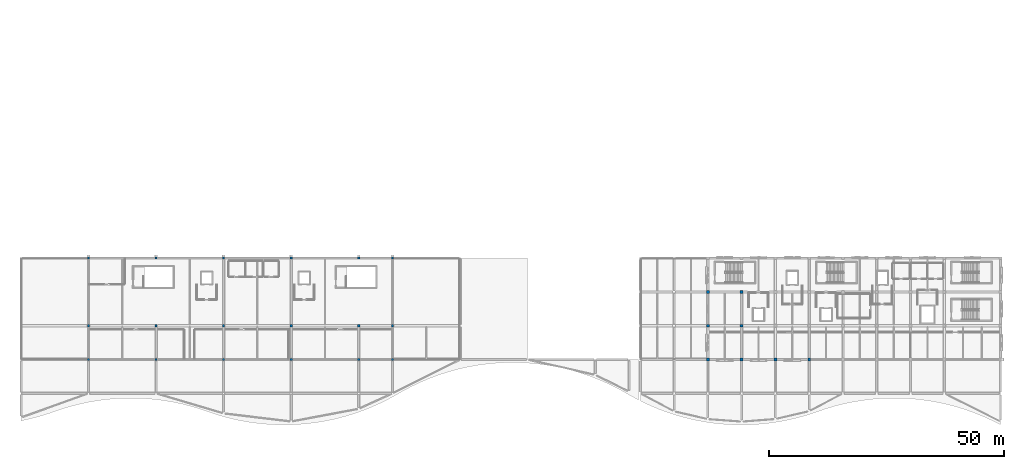
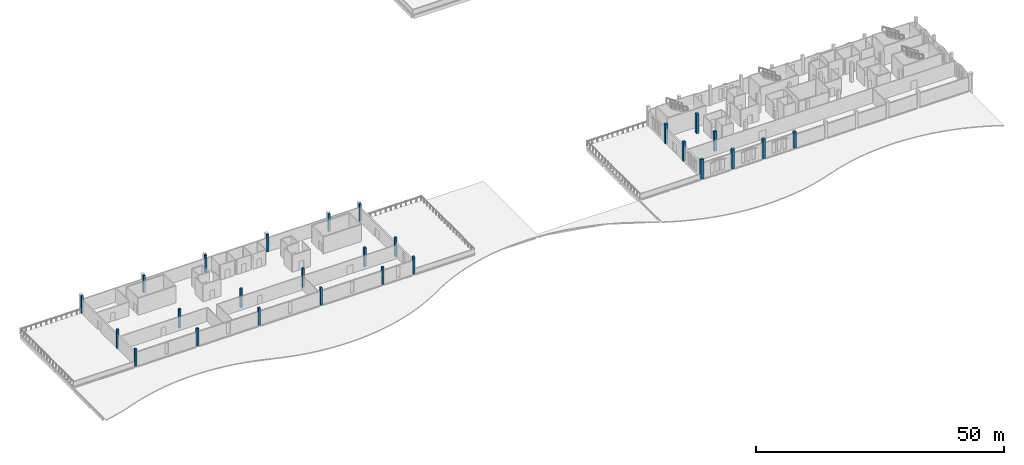
# One storey, part 1 of 23: 26 columns.
"""IFC4 building model written with IfcOpenShell, lengths in metres."""

import ifcopenshell
import ifcopenshell.guid

model = None  # the IFC model being written
_history = None  # IfcOwnerHistory: only IFC2X3 demands one
_inside = {}  # id of a spatial element -> (the spatial element, [elements in it])
_under = {}  # id of a project, library or spatial element -> (it, [spatial elements below it])
_declared = {}  # id of a project -> (the project, [libraries it declares])
_typed = {}  # id of a type object -> (the type object, [elements of that type])
_made_of = {}  # id of a material, layer set ... -> (it, [elements and type objects made of it])


def new_model(schema):
    """Start an empty IFC model of exactly this schema.

    Asked for "IFC4X3", IfcOpenShell would pick the latest addendum, in which some entities
    have other attributes; the version numbers below select the first issue.
    IFC2X3 requires an IfcOwnerHistory on every rooted entity: one is made here for all.
    """
    global model, _history
    if schema == "IFC4X3":
        model = ifcopenshell.file(schema_version=(4, 3, 0, 0))
    else:
        model = ifcopenshell.file(schema=schema)
    _inside.clear()
    _under.clear()
    _declared.clear()
    _typed.clear()
    _made_of.clear()
    _history = None
    if model.schema == "IFC2X3":
        org = make("IfcOrganization", Name="unknown")
        user = make(
            "IfcPersonAndOrganization",
            ThePerson=make("IfcPerson", FamilyName="unknown"),
            TheOrganization=org,
        )
        app = make(
            "IfcApplication",
            ApplicationDeveloper=org,
            Version="unknown",
            ApplicationFullName="unknown",
            ApplicationIdentifier="unknown",
        )
        _history = make(
            "IfcOwnerHistory",
            OwningUser=user,
            OwningApplication=app,
            ChangeAction="ADDED",
            CreationDate=0,
        )
    return model


def make(cls, **values):
    """One entity of the class cls with the attributes given. An attribute that is None is left unset."""
    return model.create_entity(
        cls, **{name: value for name, value in values.items() if value is not None}
    )


def rooted(cls, **values):
    """An entity with a GlobalId (a new one), such as an element, a storey or a relation."""
    return make(cls, GlobalId=ifcopenshell.guid.new(), OwnerHistory=_history, **values)


def si_unit(unit_type, name, prefix=None):
    """IfcSIUnit, for example si_unit("LENGTHUNIT", "METRE", prefix="MILLI")."""
    return make("IfcSIUnit", UnitType=unit_type, Prefix=prefix, Name=name)


def assignment(units):
    """IfcUnitAssignment: the units of a project."""
    return None if units is None else make("IfcUnitAssignment", Units=units)


def point(xyz):
    """IfcCartesianPoint."""
    return None if xyz is None else make("IfcCartesianPoint", Coordinates=xyz)


def direction(xyz):
    """IfcDirection."""
    return None if xyz is None else make("IfcDirection", DirectionRatios=xyz)


def frame(location, z_axis=None, x_axis=None):
    """IfcAxis2Placement3D, a coordinate frame: its origin and axes. An axis left out is left unset."""
    return make(
        "IfcAxis2Placement3D",
        Location=point(location),
        Axis=direction(z_axis),
        RefDirection=direction(x_axis),
    )


def frame_2d(location, x_axis=None):
    """IfcAxis2Placement2D, a coordinate frame in the plane: its origin and x axis."""
    return make(
        "IfcAxis2Placement2D", Location=point(location), RefDirection=direction(x_axis)
    )


def origin():
    """The frame at (0, 0, 0) with its axes left unset."""
    return frame((0.0, 0.0, 0.0))


def origin_2d():
    """The frame at (0, 0) in the plane with its x axis left unset."""
    return frame_2d((0.0, 0.0))


def place(relative_to, where):
    """IfcLocalPlacement: puts the frame where relative to a parent placement (None: the world)."""
    return make(
        "IfcLocalPlacement", PlacementRelTo=relative_to, RelativePlacement=where
    )


def context(
    kind, dimensions, precision=None, world=None, true_north=None, identifier=None
):
    """IfcGeometricRepresentationContext, for example the 3D "Model" context."""
    return make(
        "IfcGeometricRepresentationContext",
        ContextIdentifier=identifier,
        ContextType=kind,
        CoordinateSpaceDimension=dimensions,
        Precision=precision,
        WorldCoordinateSystem=world,
        TrueNorth=true_north,
    )


def subcontext(parent, identifier, kind, view, scale=None):
    """IfcGeometricRepresentationSubContext, for example "Body" below "Model"."""
    return make(
        "IfcGeometricRepresentationSubContext",
        ContextIdentifier=identifier,
        ContextType=kind,
        ParentContext=parent,
        TargetScale=scale,
        TargetView=view,
    )


def project(units=None, contexts=None):
    """IfcProject with its units and contexts."""
    return rooted(
        "IfcProject",
        Name="project",
        RepresentationContexts=contexts,
        UnitsInContext=assignment(units),
    )


def spatial(cls, under=None, at=None, **own):
    """A site, building, storey or space (cls), placed at a placement, below another one or the project."""
    s = rooted(cls, ObjectPlacement=at, **own)
    if under is not None:
        _under.setdefault(under.id(), (under, []))[1].append(s)
    return s


def profile(cls, at=None, kind="AREA", **sizes):
    """A parametric profile (cls). Its sizes go by their IFC names, for example OverallWidth=200.0."""
    return make(cls, ProfileType=kind, Position=at, **sizes)


def rectangle(**sizes):
    """IfcRectangleProfileDef."""
    return profile("IfcRectangleProfileDef", **sizes)


def extrude(swept, where, along, depth):
    """IfcExtrudedAreaSolid: the profile swept, set in the frame where, extruded along a direction by depth."""
    return make(
        "IfcExtrudedAreaSolid",
        SweptArea=swept,
        Position=where,
        ExtrudedDirection=direction(along),
        Depth=depth,
    )


def shape(context_of_items, identifier, shape_type, items):
    """IfcShapeRepresentation: the items that make up one representation, for example the "Body"."""
    return make(
        "IfcShapeRepresentation",
        ContextOfItems=context_of_items,
        RepresentationIdentifier=identifier,
        RepresentationType=shape_type,
        Items=items,
    )


def material(Name=None, Category=None):
    """IfcMaterial."""
    return make("IfcMaterial", Name=Name, Category=Category)


def material_profile(
    of_material, cross_section, Name=None, Category=None, Priority=None
):
    """IfcMaterialProfile: a cross section and its material."""
    return make(
        "IfcMaterialProfile",
        Name=Name,
        Material=of_material,
        Profile=cross_section,
        Priority=Priority,
        Category=Category,
    )


def profile_set(profiles, Name=None, composite=None):
    """IfcMaterialProfileSet."""
    return make(
        "IfcMaterialProfileSet",
        Name=Name,
        MaterialProfiles=profiles,
        CompositeProfile=composite,
    )


def made_of(thing, what):
    """Note that an element or type object is made of a material, layer set ...; save() writes the relation."""
    if what is not None:
        _made_of.setdefault(what.id(), (what, []))[1].append(thing)
    return thing


def type_object(cls, material=None, **own):
    """A type object (cls), such as IfcWallType, which elements share."""
    return made_of(rooted(cls, **own), material)


def element(
    cls,
    number,
    at=None,
    inside=None,
    cuts=None,
    type_object=None,
    material=None,
    context=None,
    identifier="Body",
    shape_type=None,
    held_by="IfcProductDefinitionShape",
    body=None,
    shapes=None,
    **own,
):
    """One element of the class cls, such as IfcWall. Its Tag is "e" and its number.

    at: its placement. inside: the storey or other place that contains it. cuts: it is an
    opening in that element (IfcRelVoidsElement). A single representation is given by context,
    identifier, shape_type and body (its items); several are given by shapes. held_by: the class
    of the entity that holds the representations. save() writes the other relations.
    """
    e = rooted(cls, Tag="e%d" % number, ObjectPlacement=at, **own)
    if body is not None:
        shapes = [shape(context, identifier, shape_type, body)]
    if shapes is not None:
        e.Representation = make(held_by, Representations=shapes)
    if inside is not None:
        _inside.setdefault(inside.id(), (inside, []))[1].append(e)
    if cuts is not None:
        rooted(
            "IfcRelVoidsElement", RelatingBuildingElement=cuts, RelatedOpeningElement=e
        )
    if type_object is not None:
        _typed.setdefault(type_object.id(), (type_object, []))[1].append(e)
    return made_of(e, material)


def aggregate(whole, parts):
    """IfcRelAggregates: a whole, such as a stair, and the parts it consists of."""
    return rooted("IfcRelAggregates", RelatingObject=whole, RelatedObjects=parts)


def save(model, path):
    """Write the relations noted so far, then the file.

    IfcRelAggregates (storeys below a building ...), IfcRelContainedInSpatialStructure (elements
    in a storey), IfcRelDefinesByType, IfcRelAssociatesMaterial and IfcRelDeclares: one each for
    every whole, place, type object, material and project.
    """
    for whole, parts in _under.values():
        aggregate(whole, parts)
    for where, things in _inside.values():
        rooted(
            "IfcRelContainedInSpatialStructure",
            RelatedElements=things,
            RelatingStructure=where,
        )
    for kind, things in _typed.values():
        rooted("IfcRelDefinesByType", RelatedObjects=things, RelatingType=kind)
    for what, things in _made_of.values():
        rooted("IfcRelAssociatesMaterial", RelatedObjects=things, RelatingMaterial=what)
    for by, libraries in _declared.values():
        rooted("IfcRelDeclares", RelatingContext=by, RelatedDefinitions=libraries)
    model.write(path)


model = new_model("IFC4")

# Units and contexts
model_context = context("Model", 3, precision=1e-05, world=origin(), true_north=direction((0.0, 1.0)))
body_context = subcontext(model_context, "Body", "Model", "MODEL_VIEW")
ifc_project = project(units=[si_unit("LENGTHUNIT", "METRE"), si_unit("AREAUNIT", "SQUARE_METRE"), si_unit("VOLUMEUNIT", "CUBIC_METRE"), si_unit("PLANEANGLEUNIT", "RADIAN"), si_unit("MASSUNIT", "GRAM", prefix="KILO")], contexts=[model_context])

# Site, building, storey
site_placement = place(None, origin())
site = spatial("IfcSite", under=ifc_project, at=site_placement, CompositionType="ELEMENT")
building_placement = place(site_placement, origin())
building = spatial("IfcBuilding", under=site, at=building_placement, Name="Cendralis Lancet Convention Centre", CompositionType="ELEMENT")
storey_placement = place(building_placement, frame((0.0, 0.0, 19.800048828125)))
storey = spatial("IfcBuildingStorey", under=building, at=storey_placement, Name="L04", CompositionType="ELEMENT", Elevation=19.800048828125)

# Columns
ifc_material = material(Name="Concrete G40 (C40/50)", Category="concrete")
ifc_material_profile_1 = material_profile(ifc_material, rectangle(XDim=0.60009765625, YDim=0.60009765625, at=origin_2d()), Name="RC 600x600")
ifc_profile_set_1 = profile_set([ifc_material_profile_1], Name="Concrete G40 (C40/50)")
column_type_1 = type_object("IfcColumnType", Name="STR-COL-C09", PredefinedType="COLUMN", material=ifc_profile_set_1)
for number, where, z_axis, x_axis, name in (
    (1, (146.39990234375, 14.39990234375, 0.0), (0.0, 0.0, 1.0), (1.0, 0.0, 0.0), "L04 Column C09 at 146.4,14.4"),
    (2, (146.39990234375, 21.60009765625, 0.0), (0.0, 0.0, 1.0), (1.0, 0.0, 0.0), "L04 Column C09 at 146.4,21.6"),
    (3, (146.39990234375, 28.800048828125, 0.0), (0.0, 0.0, 1.0), (1.0, 0.0, 0.0), "L04 Column C09 at 146.4,28.8"),
    (4, (153.60009765625, 14.39990234375, 0.0), (0.0, 0.0, 1.0), (1.0, 0.0, 0.0), "L04 Column C09 at 153.6,14.4"),
    (5, (160.800048828125, 14.39990234375, 0.0), (0.0, 0.0, 1.0), (1.0, 0.0, 0.0), "L04 Column C09 at 160.8,14.4"),
):
    element("IfcColumn", number, at=place(storey_placement, frame(where, z_axis=z_axis, x_axis=x_axis)), inside=storey, type_object=column_type_1, Name=name, PredefinedType="COLUMN", context=body_context, shape_type="SweptSolid", body=[
        extrude(rectangle(XDim=0.60009765625, YDim=0.60009765625, at=origin_2d()), origin(), (0.0, 0.0, 1.0), 4.800048828125),
    ])
column_1_placement = place(storey_placement, frame((168.0, 14.39990234375, 0.0), z_axis=(0.0, 0.0, 1.0), x_axis=(1.0, 0.0, 0.0)))
element("IfcColumn", 6, at=column_1_placement, inside=storey, type_object=column_type_1, Name="L04 Column C09 at 168.0,14.4", PredefinedType="COLUMN", context=body_context, shape_type="SweptSolid", body=[
    extrude(rectangle(XDim=0.60009765625, YDim=0.60009765625, at=origin_2d()), origin(), (0.0, 0.0, 1.0), 4.050048828125),
])
ifc_material_profile_2 = material_profile(ifc_material, rectangle(XDim=0.60009765625, YDim=0.60009765625, at=origin_2d()), Name="RC 600x600")
ifc_profile_set_2 = profile_set([ifc_material_profile_2], Name="Concrete G40 (C40/50)")
column_type_2 = type_object("IfcColumnType", Name="STR-COL-C09-INT", PredefinedType="COLUMN", material=ifc_profile_set_2)
for number, where, z_axis, x_axis, name in (
    (7, (153.60009765625, 21.60009765625, 0.0), (0.0, 0.0, 1.0), (1.0, 0.0, 0.0), "L04 Column C09 at 153.6,21.6"),
    (8, (153.60009765625, 28.800048828125, 0.0), (0.0, 0.0, 1.0), (1.0, 0.0, 0.0), "L04 Column C09 at 153.6,28.8"),
):
    element("IfcColumn", number, at=place(storey_placement, frame(where, z_axis=z_axis, x_axis=x_axis)), inside=storey, type_object=column_type_2, Name=name, PredefinedType="COLUMN", context=body_context, shape_type="SweptSolid", body=[
        extrude(rectangle(XDim=0.60009765625, YDim=0.60009765625, at=origin_2d()), origin(), (0.0, 0.0, 1.0), 4.800048828125),
    ])
ifc_material_profile_3 = material_profile(ifc_material, rectangle(XDim=0.449951171875, YDim=0.449951171875, at=origin_2d()), Name="RC 450x450")
ifc_profile_set_3 = profile_set([ifc_material_profile_3], Name="Concrete G40 (C40/50)")
column_type_3 = type_object("IfcColumnType", Name="STR-COL-C12", PredefinedType="COLUMN", material=ifc_profile_set_3)
column_2_placement = place(storey_placement, frame((14.39990234375, 14.39990234375, 0.0), z_axis=(0.0, 0.0, 1.0), x_axis=(1.0, 0.0, 0.0)))
element("IfcColumn", 9, at=column_2_placement, inside=storey, type_object=column_type_3, Name="L04 Column C12 at 14.4,14.4", PredefinedType="COLUMN", context=body_context, shape_type="SweptSolid", body=[
    extrude(rectangle(XDim=0.449951171875, YDim=0.449951171875, at=origin_2d()), origin(), (0.0, 0.0, 1.0), 4.300048828125),
])
column_3_placement = place(storey_placement, frame((14.39990234375, 21.60009765625, 0.0), z_axis=(0.0, 0.0, 1.0), x_axis=(1.0, 0.0, 0.0)))
element("IfcColumn", 10, at=column_3_placement, inside=storey, type_object=column_type_3, Name="L04 Column C12 at 14.4,21.6", PredefinedType="COLUMN", context=body_context, shape_type="SweptSolid", body=[
    extrude(rectangle(XDim=0.449951171875, YDim=0.449951171875, at=origin_2d()), origin(), (0.0, 0.0, 1.0), 4.699951171875),
])
for number, where, z_axis, x_axis, name in (
    (11, (14.39990234375, 36.0, 0.0), (0.0, 0.0, 1.0), (1.0, 0.0, 0.0), "L04 Column C12 at 14.4,36.0"),
    (12, (28.800048828125, 14.39990234375, 0.0), (0.0, 0.0, 1.0), (1.0, 0.0, 0.0), "L04 Column C12 at 28.8,14.4"),
    (13, (28.800048828125, 36.0, 0.0), (0.0, 0.0, 1.0), (1.0, 0.0, 0.0), "L04 Column C12 at 28.8,36.0"),
    (14, (43.199951171875, 14.39990234375, 0.0), (0.0, 0.0, 1.0), (1.0, 0.0, 0.0), "L04 Column C12 at 43.2,14.4"),
    (15, (43.199951171875, 36.0, 0.0), (0.0, 0.0, 1.0), (1.0, 0.0, 0.0), "L04 Column C12 at 43.2,36.0"),
    (16, (57.60009765625, 14.39990234375, 0.0), (0.0, 0.0, 1.0), (1.0, 0.0, 0.0), "L04 Column C12 at 57.6,14.4"),
    (17, (57.60009765625, 36.0, 0.0), (0.0, 0.0, 1.0), (1.0, 0.0, 0.0), "L04 Column C12 at 57.6,36.0"),
    (18, (72.0, 14.39990234375, 0.0), (0.0, 0.0, 1.0), (1.0, 0.0, 0.0), "L04 Column C12 at 72.0,14.4"),
    (19, (72.0, 36.0, 0.0), (0.0, 0.0, 1.0), (1.0, 0.0, 0.0), "L04 Column C12 at 72.0,36.0"),
    (20, (79.199951171875, 14.39990234375, 0.0), (0.0, 0.0, 1.0), (1.0, 0.0, 0.0), "L04 Column C12 at 79.2,14.4"),
):
    element("IfcColumn", number, at=place(storey_placement, frame(where, z_axis=z_axis, x_axis=x_axis)), inside=storey, type_object=column_type_3, Name=name, PredefinedType="COLUMN", context=body_context, shape_type="SweptSolid", body=[
        extrude(rectangle(XDim=0.449951171875, YDim=0.449951171875, at=origin_2d()), origin(), (0.0, 0.0, 1.0), 4.300048828125),
    ])
column_4_placement = place(storey_placement, frame((79.199951171875, 21.60009765625, 0.0), z_axis=(0.0, 0.0, 1.0), x_axis=(1.0, 0.0, 0.0)))
element("IfcColumn", 21, at=column_4_placement, inside=storey, type_object=column_type_3, Name="L04 Column C12 at 79.2,21.6", PredefinedType="COLUMN", context=body_context, shape_type="SweptSolid", body=[
    extrude(rectangle(XDim=0.449951171875, YDim=0.449951171875, at=origin_2d()), origin(), (0.0, 0.0, 1.0), 4.699951171875),
])
column_5_placement = place(storey_placement, frame((79.199951171875, 36.0, 0.0), z_axis=(0.0, 0.0, 1.0), x_axis=(1.0, 0.0, 0.0)))
element("IfcColumn", 22, at=column_5_placement, inside=storey, type_object=column_type_3, Name="L04 Column C12 at 79.2,36.0", PredefinedType="COLUMN", context=body_context, shape_type="SweptSolid", body=[
    extrude(rectangle(XDim=0.449951171875, YDim=0.449951171875, at=origin_2d()), origin(), (0.0, 0.0, 1.0), 4.300048828125),
])
ifc_material_profile_4 = material_profile(ifc_material, rectangle(XDim=0.449951171875, YDim=0.449951171875, at=origin_2d()), Name="RC 450x450")
ifc_profile_set_4 = profile_set([ifc_material_profile_4], Name="Concrete G40 (C40/50)")
column_type_4 = type_object("IfcColumnType", Name="STR-COL-C12-INT", PredefinedType="COLUMN", material=ifc_profile_set_4)
for number, where, z_axis, x_axis, name in (
    (23, (28.800048828125, 21.60009765625, 0.0), (0.0, 0.0, 1.0), (1.0, 0.0, 0.0), "L04 Column C12 at 28.8,21.6"),
    (24, (43.199951171875, 21.60009765625, 0.0), (0.0, 0.0, 1.0), (1.0, 0.0, 0.0), "L04 Column C12 at 43.2,21.6"),
    (25, (57.60009765625, 21.60009765625, 0.0), (0.0, 0.0, 1.0), (1.0, 0.0, 0.0), "L04 Column C12 at 57.6,21.6"),
    (26, (72.0, 21.60009765625, 0.0), (0.0, 0.0, 1.0), (1.0, 0.0, 0.0), "L04 Column C12 at 72.0,21.6"),
):
    element("IfcColumn", number, at=place(storey_placement, frame(where, z_axis=z_axis, x_axis=x_axis)), inside=storey, type_object=column_type_4, Name=name, PredefinedType="COLUMN", context=body_context, shape_type="SweptSolid", body=[
        extrude(rectangle(XDim=0.449951171875, YDim=0.449951171875, at=origin_2d()), origin(), (0.0, 0.0, 1.0), 4.699951171875),
    ])

save(model, "model.ifc")
